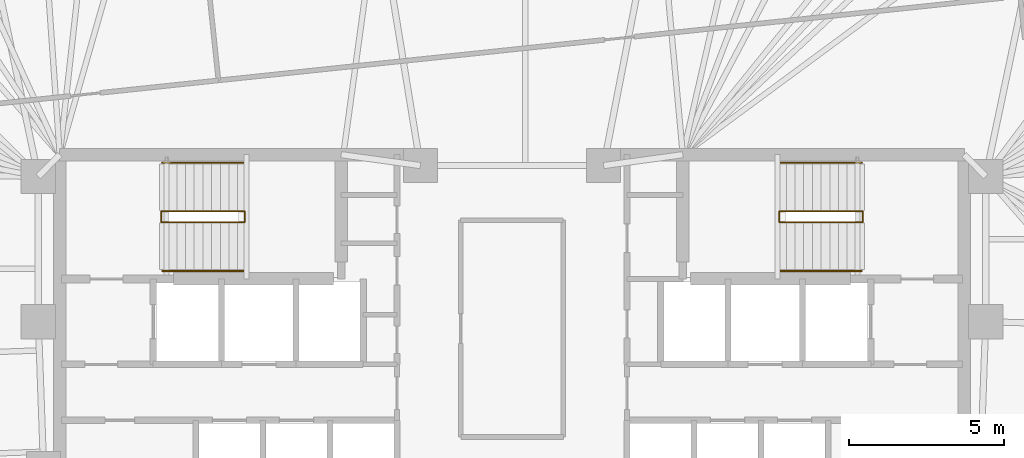
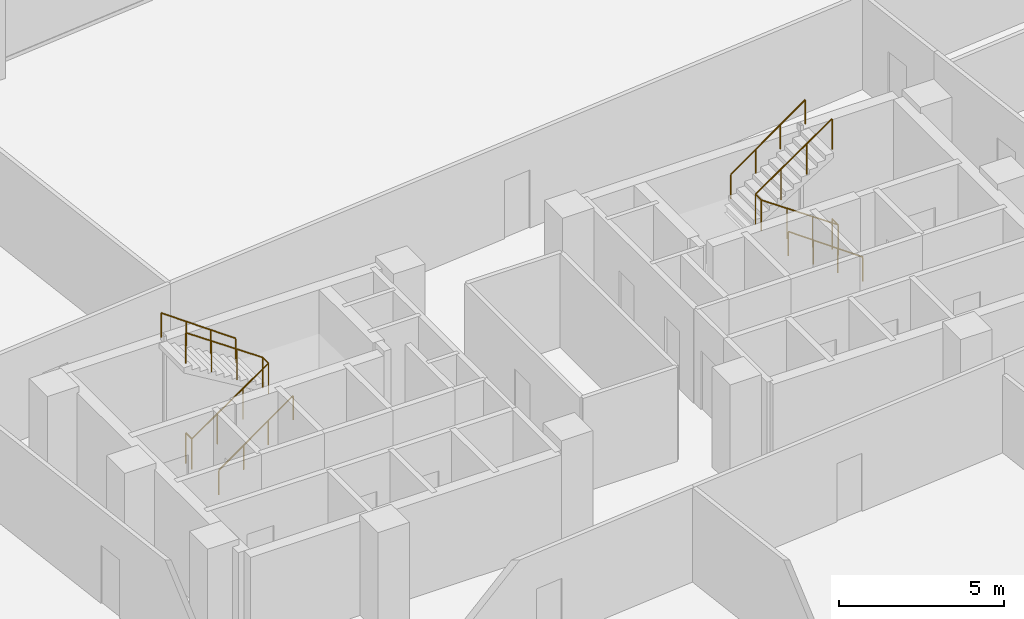
# One storey, part 18 of 18: 6 railings.
"""IFC4 building model written with IfcOpenShell, lengths in metres."""

from ifc_helpers import new_model, si_unit, direction, frame, origin, origin_2d, place, context, subcontext, project, spatial, circle, extrude, material, type_object, element, save


model = new_model("IFC4")

# Units and contexts
model_context = context("Model", 3, precision=1e-05, world=origin(), true_north=direction((0.0, 1.0)))
body_context = subcontext(model_context, "Body", "Model", "MODEL_VIEW")
ifc_project = project(units=[si_unit("LENGTHUNIT", "METRE"), si_unit("AREAUNIT", "SQUARE_METRE"), si_unit("VOLUMEUNIT", "CUBIC_METRE"), si_unit("PLANEANGLEUNIT", "RADIAN"), si_unit("MASSUNIT", "GRAM", prefix="KILO")], contexts=[model_context])

# Site, building, storey
site_placement = place(None, origin())
site = spatial("IfcSite", under=ifc_project, at=site_placement, CompositionType="ELEMENT")
building_placement = place(site_placement, origin())
building = spatial("IfcBuilding", under=site, at=building_placement, Name="Menara Jurai Vektor", CompositionType="ELEMENT")
storey_placement = place(building_placement, frame((0.0, 0.0, 102.199951171875)))
storey = spatial("IfcBuildingStorey", under=building, at=storey_placement, Name="L25", CompositionType="ELEMENT", Elevation=102.199951171875)

# Railings
ifc_material_1 = material(Name="Painted Galvanised Steel Balustrade", Category="steel")
railing_type_1 = type_object("IfcRailingType", Name="RAIL-STAIR-GUARD", PredefinedType="GUARDRAIL", material=ifc_material_1)
railing_1_placement = place(storey_placement, frame((-11.2900390625, 3.780029296875, 0.0)))
element("IfcRailing", 1, at=railing_1_placement, inside=storey, type_object=railing_type_1, Name="ST1 Stair Guardrail 1 L25", PredefinedType="GUARDRAIL", context=body_context, shape_type="SweptSolid", body=[
    extrude(circle(Radius=0.02392578125, at=origin_2d()), frame((0.0, 0.0, 1.1259765625), z_axis=(0.0, -1.0, 0.0), x_axis=(1.0, 0.0, 0.0)), (0.0, 0.0, 1.0), 0.360107421875),
    extrude(circle(Radius=0.02392578125, at=origin_2d()), frame((0.0, -0.360107421875, 1.1259765625), z_axis=(0.822944469782, 0.0, 0.568121817619), x_axis=(0.0, 1.0, 0.0)), (0.0, 0.0, 1.0), 3.256591796875),
    extrude(circle(Radius=0.02392578125, at=origin_2d()), frame((2.679931640625, -0.360107421875, 2.97607421875), z_axis=(0.0, 1.0, 0.0), x_axis=(-1.0, 0.0, 0.0)), (0.0, 0.0, 1.0), 0.360107421875),
    extrude(circle(Radius=0.02392578125, at=origin_2d()), frame((2.679931640625, 0.0, 2.97607421875), z_axis=(-0.822979520584, 0.0, 0.568071041948), x_axis=(0.0, -1.0, 0.0)), (0.0, 0.0, 1.0), 3.25634765625),
    extrude(circle(Radius=0.02099609375, at=origin_2d()), origin(), (0.0, 0.0, 1.0), 1.101806640625),
    extrude(circle(Radius=0.02099609375, at=origin_2d()), frame((0.0, -0.360107421875, 0.0)), (0.0, 0.0, 1.0), 1.101806640625),
    extrude(circle(Radius=0.02099609375, at=origin_2d()), frame((0.893310546875, -0.360107421875, 0.61669921875)), (0.0, 0.0, 1.0), 1.101806640625),
    extrude(circle(Radius=0.02099609375, at=origin_2d()), frame((1.78662109375, -0.360107421875, 1.2333984375)), (0.0, 0.0, 1.0), 1.101806640625),
    extrude(circle(Radius=0.02099609375, at=origin_2d()), frame((2.679931640625, -0.360107421875, 1.85009765625)), (0.0, 0.0, 1.0), 1.101806640625),
    extrude(circle(Radius=0.02099609375, at=origin_2d()), frame((2.679931640625, 0.0, 1.85009765625)), (0.0, 0.0, 1.0), 1.101806640625),
    extrude(circle(Radius=0.02099609375, at=origin_2d()), frame((1.78662109375, 0.0, 2.466796875)), (0.0, 0.0, 1.0), 1.101806640625),
    extrude(circle(Radius=0.02099609375, at=origin_2d()), frame((0.893310546875, 0.0, 3.083251953125)), (0.0, 0.0, 1.0), 1.101806640625),
    extrude(circle(Radius=0.02099609375, at=origin_2d()), frame((0.0, 0.0, 3.699951171875)), (0.0, 0.0, 1.0), 1.101806640625),
])
railing_2_placement = place(storey_placement, frame((11.2900390625, 3.780029296875, 0.0)))
element("IfcRailing", 2, at=railing_2_placement, inside=storey, type_object=railing_type_1, Name="ST2 Stair Guardrail 1 L25", PredefinedType="GUARDRAIL", context=body_context, shape_type="SweptSolid", body=[
    extrude(circle(Radius=0.02392578125, at=origin_2d()), frame((0.0, 0.0, 1.1259765625), z_axis=(0.0, -1.0, 0.0), x_axis=(1.0, 0.0, 0.0)), (0.0, 0.0, 1.0), 0.360107421875),
    extrude(circle(Radius=0.02392578125, at=origin_2d()), frame((0.0, -0.360107421875, 1.1259765625), z_axis=(-0.822944469782, 0.0, 0.568121817619), x_axis=(0.0, -1.0, 0.0)), (0.0, 0.0, 1.0), 3.256591796875),
    extrude(circle(Radius=0.02392578125, at=origin_2d()), frame((-2.679931640625, -0.360107421875, 2.97607421875), z_axis=(0.0, 1.0, 0.0), x_axis=(-1.0, 0.0, 0.0)), (0.0, 0.0, 1.0), 0.360107421875),
    extrude(circle(Radius=0.02392578125, at=origin_2d()), frame((-2.679931640625, 0.0, 2.97607421875), z_axis=(0.822979520584, 0.0, 0.568071041948), x_axis=(0.0, 1.0, 0.0)), (0.0, 0.0, 1.0), 3.25634765625),
    extrude(circle(Radius=0.02099609375, at=origin_2d()), origin(), (0.0, 0.0, 1.0), 1.101806640625),
    extrude(circle(Radius=0.02099609375, at=origin_2d()), frame((0.0, -0.360107421875, 0.0)), (0.0, 0.0, 1.0), 1.101806640625),
    extrude(circle(Radius=0.02099609375, at=origin_2d()), frame((-0.893310546875, -0.360107421875, 0.61669921875)), (0.0, 0.0, 1.0), 1.101806640625),
    extrude(circle(Radius=0.02099609375, at=origin_2d()), frame((-1.78662109375, -0.360107421875, 1.2333984375)), (0.0, 0.0, 1.0), 1.101806640625),
    extrude(circle(Radius=0.02099609375, at=origin_2d()), frame((-2.679931640625, -0.360107421875, 1.85009765625)), (0.0, 0.0, 1.0), 1.101806640625),
    extrude(circle(Radius=0.02099609375, at=origin_2d()), frame((-2.679931640625, 0.0, 1.85009765625)), (0.0, 0.0, 1.0), 1.101806640625),
    extrude(circle(Radius=0.02099609375, at=origin_2d()), frame((-1.78662109375, 0.0, 2.466796875)), (0.0, 0.0, 1.0), 1.101806640625),
    extrude(circle(Radius=0.02099609375, at=origin_2d()), frame((-0.893310546875, 0.0, 3.083251953125)), (0.0, 0.0, 1.0), 1.101806640625),
    extrude(circle(Radius=0.02099609375, at=origin_2d()), frame((0.0, 0.0, 3.699951171875)), (0.0, 0.0, 1.0), 1.101806640625),
])
ifc_material_2 = material(Name="Brushed Stainless Steel Handrail", Category="steel")
railing_type_2 = type_object("IfcRailingType", Name="RAIL-STAIR-HAND", PredefinedType="HANDRAIL", material=ifc_material_2)
railing_3_placement = place(storey_placement, frame((-11.25, 1.860107421875, 0.0)))
element("IfcRailing", 3, at=railing_3_placement, inside=storey, type_object=railing_type_2, Name="ST1 Stair Handrail 1 L25", PredefinedType="HANDRAIL", context=body_context, shape_type="SweptSolid", body=[
    extrude(circle(Radius=0.02392578125, at=origin_2d()), frame((0.0, 0.0, 0.89599609375), z_axis=(0.814786671209, 0.0, 0.579760882106), x_axis=(0.0, 1.0, 0.0)), (0.0, 0.0, 1.0), 3.191162109375),
    extrude(circle(Radius=0.02099609375, at=origin_2d()), origin(), (0.0, 0.0, 1.0), 0.871826171875),
    extrude(circle(Radius=0.02099609375, at=origin_2d()), frame((0.86669921875, 0.0, 0.61669921875)), (0.0, 0.0, 1.0), 0.871826171875),
    extrude(circle(Radius=0.02099609375, at=origin_2d()), frame((1.7333984375, 0.0, 1.2333984375)), (0.0, 0.0, 1.0), 0.871826171875),
    extrude(circle(Radius=0.02099609375, at=origin_2d()), frame((2.60009765625, 0.0, 1.85009765625)), (0.0, 0.0, 1.0), 0.871826171875),
])
railing_4_placement = place(storey_placement, frame((-8.64990234375, 5.340087890625, 1.85009765625)))
element("IfcRailing", 4, at=railing_4_placement, inside=storey, type_object=railing_type_2, Name="ST1 Stair Handrail 2 L25", PredefinedType="HANDRAIL", context=body_context, shape_type="SweptSolid", body=[
    extrude(circle(Radius=0.02392578125, at=origin_2d()), frame((0.0, 0.0, 0.89599609375), z_axis=(-0.814822811145, 0.0, 0.579710088267), x_axis=(0.0, -1.0, 0.0)), (0.0, 0.0, 1.0), 3.19091796875),
    extrude(circle(Radius=0.02099609375, at=origin_2d()), origin(), (0.0, 0.0, 1.0), 0.871826171875),
    extrude(circle(Radius=0.02099609375, at=origin_2d()), frame((-0.86669921875, 0.0, 0.61669921875)), (0.0, 0.0, 1.0), 0.871826171875),
    extrude(circle(Radius=0.02099609375, at=origin_2d()), frame((-1.7333984375, 0.0, 1.233154296875)), (0.0, 0.0, 1.0), 0.871826171875),
    extrude(circle(Radius=0.02099609375, at=origin_2d()), frame((-2.60009765625, 0.0, 1.849853515625)), (0.0, 0.0, 1.0), 0.871826171875),
])
railing_5_placement = place(storey_placement, frame((11.25, 1.860107421875, 0.0)))
element("IfcRailing", 5, at=railing_5_placement, inside=storey, type_object=railing_type_2, Name="ST2 Stair Handrail 1 L25", PredefinedType="HANDRAIL", context=body_context, shape_type="SweptSolid", body=[
    extrude(circle(Radius=0.02392578125, at=origin_2d()), frame((0.0, 0.0, 0.89599609375), z_axis=(-0.814786671209, 0.0, 0.579760882106), x_axis=(0.0, -1.0, 0.0)), (0.0, 0.0, 1.0), 3.191162109375),
    extrude(circle(Radius=0.02099609375, at=origin_2d()), origin(), (0.0, 0.0, 1.0), 0.871826171875),
    extrude(circle(Radius=0.02099609375, at=origin_2d()), frame((-0.86669921875, 0.0, 0.61669921875)), (0.0, 0.0, 1.0), 0.871826171875),
    extrude(circle(Radius=0.02099609375, at=origin_2d()), frame((-1.7333984375, 0.0, 1.2333984375)), (0.0, 0.0, 1.0), 0.871826171875),
    extrude(circle(Radius=0.02099609375, at=origin_2d()), frame((-2.60009765625, 0.0, 1.85009765625)), (0.0, 0.0, 1.0), 0.871826171875),
])
railing_6_placement = place(storey_placement, frame((8.64990234375, 5.340087890625, 1.85009765625)))
element("IfcRailing", 6, at=railing_6_placement, inside=storey, type_object=railing_type_2, Name="ST2 Stair Handrail 2 L25", PredefinedType="HANDRAIL", context=body_context, shape_type="SweptSolid", body=[
    extrude(circle(Radius=0.02392578125, at=origin_2d()), frame((0.0, 0.0, 0.89599609375), z_axis=(0.814822811145, 0.0, 0.579710088267), x_axis=(0.0, 1.0, 0.0)), (0.0, 0.0, 1.0), 3.19091796875),
    extrude(circle(Radius=0.02099609375, at=origin_2d()), origin(), (0.0, 0.0, 1.0), 0.871826171875),
    extrude(circle(Radius=0.02099609375, at=origin_2d()), frame((0.86669921875, 0.0, 0.61669921875)), (0.0, 0.0, 1.0), 0.871826171875),
    extrude(circle(Radius=0.02099609375, at=origin_2d()), frame((1.7333984375, 0.0, 1.233154296875)), (0.0, 0.0, 1.0), 0.871826171875),
    extrude(circle(Radius=0.02099609375, at=origin_2d()), frame((2.60009765625, 0.0, 1.849853515625)), (0.0, 0.0, 1.0), 0.871826171875),
])

save(model, "model.ifc")
